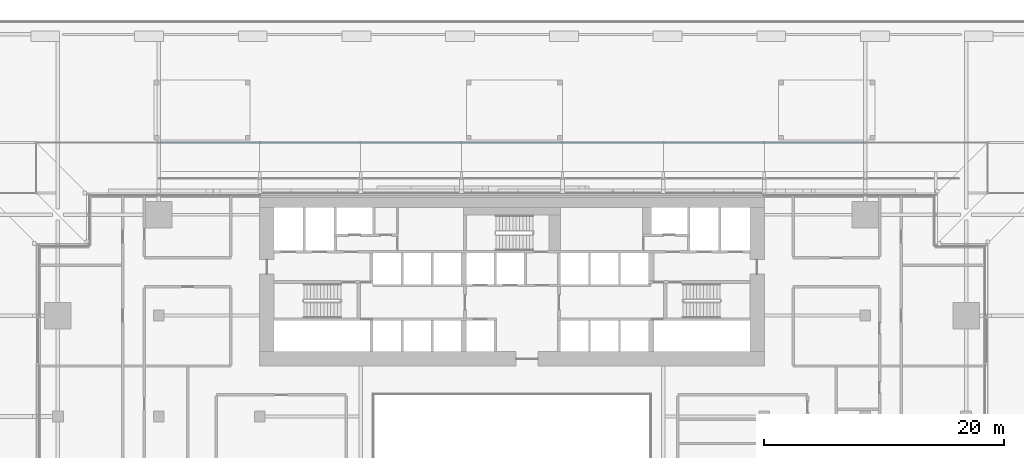
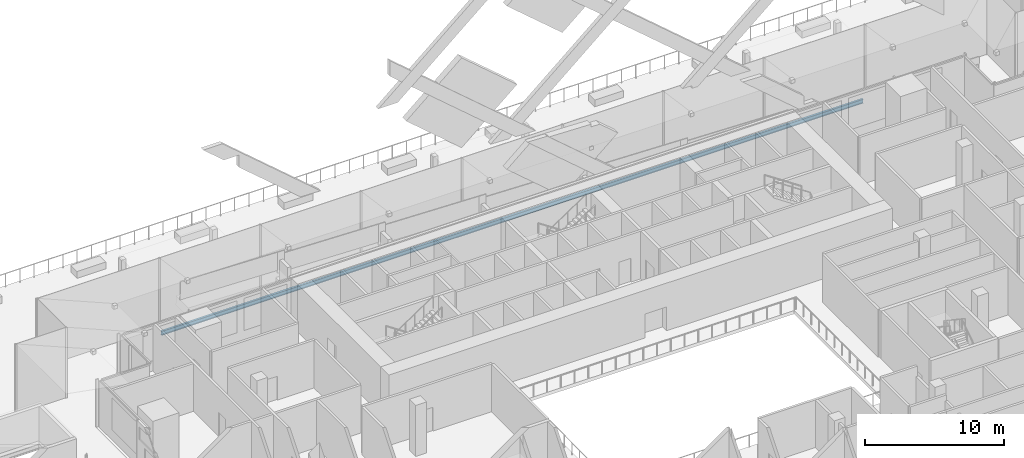
# One storey, part 16 of 60: 1 beam.
"""IFC4 building model written with IfcOpenShell, lengths in metres."""

from ifc_helpers import new_model, si_unit, direction, frame, origin, origin_2d, place, context, subcontext, project, spatial, i_section, extrude, material, material_profile, profile_set, type_object, element, save


model = new_model("IFC4")

# Units and contexts
model_context = context("Model", 3, precision=1e-05, world=origin(), true_north=direction((0.0, 1.0)))
body_context = subcontext(model_context, "Body", "Model", "MODEL_VIEW")
ifc_project = project(units=[si_unit("LENGTHUNIT", "METRE"), si_unit("AREAUNIT", "SQUARE_METRE"), si_unit("VOLUMEUNIT", "CUBIC_METRE"), si_unit("PLANEANGLEUNIT", "RADIAN"), si_unit("MASSUNIT", "GRAM", prefix="KILO")], contexts=[model_context])

# Site, building, storey
site_placement = place(None, origin())
site = spatial("IfcSite", under=ifc_project, at=site_placement, CompositionType="ELEMENT")
building_placement = place(site_placement, origin())
building = spatial("IfcBuilding", under=site, at=building_placement, Name="Saffron Gate Tower", CompositionType="ELEMENT")
storey_placement = place(building_placement, frame((0.0, 0.0, 19.199951171875)))
storey = spatial("IfcBuildingStorey", under=building, at=storey_placement, Name="L03", CompositionType="ELEMENT", Elevation=19.199951171875)

# Beam
ifc_material = material(Name="Structural steel S355", Category="steel")
ifc_material_profile = material_profile(ifc_material, i_section(OverallWidth=0.169921875, OverallDepth=0.360107421875, WebThickness=0.008056640625, FlangeThickness=0.0126953125, FilletRadius=0.01806640625, at=origin_2d()))
ifc_profile_set = profile_set([ifc_material_profile], Name="Structural steel S355")
beam_type = type_object("IfcBeamType", Name="HL5 hall kerb beam", PredefinedType="BEAM", material=ifc_profile_set)
beam_placement = place(storey_placement, frame((58.35009765625, 79.800048828125, -0.47998046875), z_axis=(1.0, 0.0, 0.0), x_axis=(0.0, 1.0, 0.0)))
element("IfcBeam", 1, at=beam_placement, inside=storey, type_object=beam_type, Name="HALL KERB BEAM", PredefinedType="BEAM", context=body_context, shape_type="SweptSolid", body=[
    extrude(i_section(OverallWidth=0.169921875, OverallDepth=0.360107421875, WebThickness=0.008056640625, FlangeThickness=0.0126953125, FilletRadius=0.01806640625, at=origin_2d()), origin(), (0.0, 0.0, 1.0), 58.5),
])

save(model, "model.ifc")
